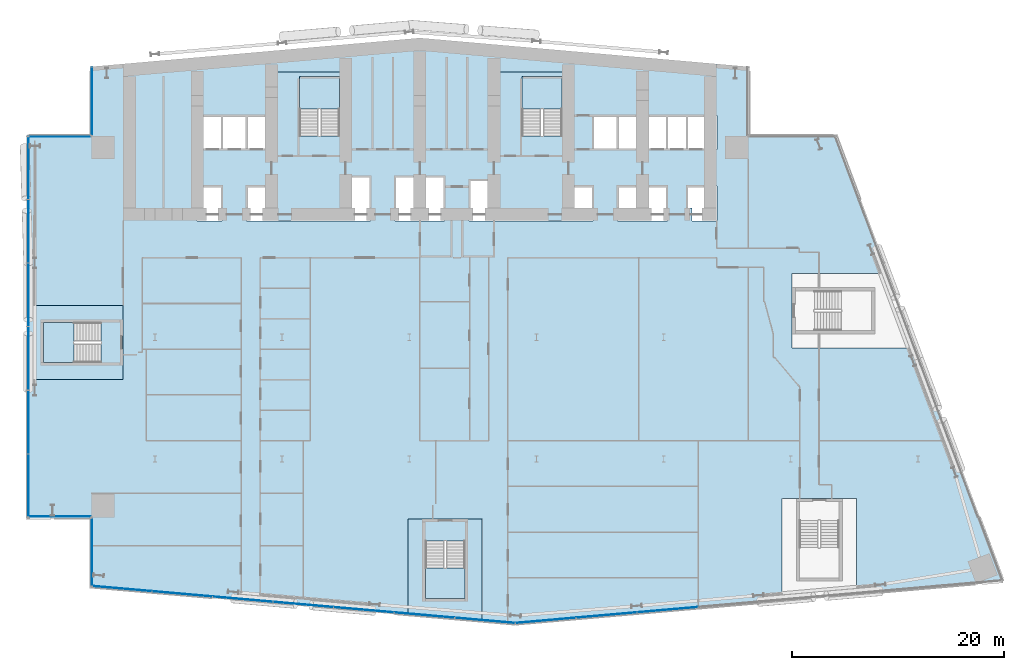
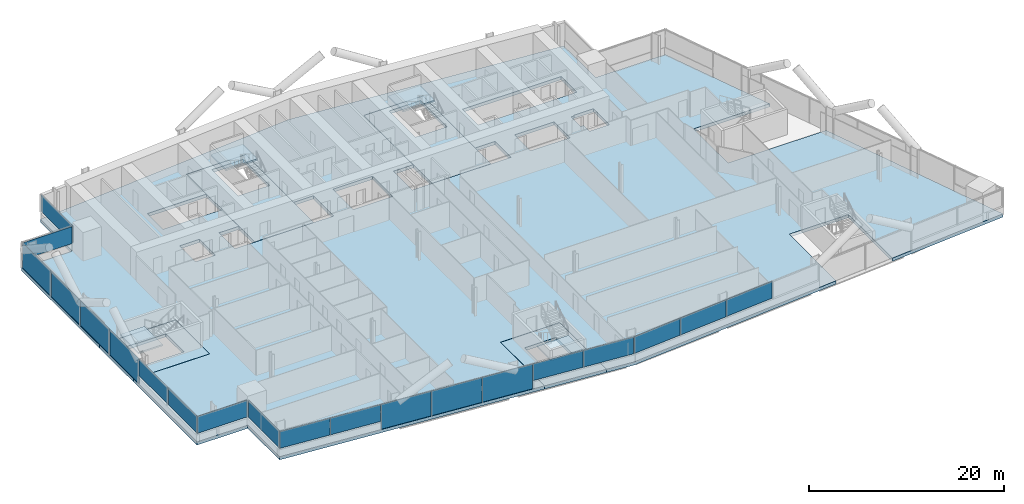
# One storey, part 11 of 27: 20 plates, 9 slabs, 11 elements without a shape of their own.
"""IFC4 building model written with IfcOpenShell, lengths in metres."""

import ifcopenshell
import ifcopenshell.guid

model = None  # the IFC model being written
_history = None  # IfcOwnerHistory: only IFC2X3 demands one
_inside = {}  # id of a spatial element -> (the spatial element, [elements in it])
_under = {}  # id of a project, library or spatial element -> (it, [spatial elements below it])
_declared = {}  # id of a project -> (the project, [libraries it declares])
_typed = {}  # id of a type object -> (the type object, [elements of that type])
_made_of = {}  # id of a material, layer set ... -> (it, [elements and type objects made of it])


def new_model(schema):
    """Start an empty IFC model of exactly this schema.

    Asked for "IFC4X3", IfcOpenShell would pick the latest addendum, in which some entities
    have other attributes; the version numbers below select the first issue.
    IFC2X3 requires an IfcOwnerHistory on every rooted entity: one is made here for all.
    """
    global model, _history
    if schema == "IFC4X3":
        model = ifcopenshell.file(schema_version=(4, 3, 0, 0))
    else:
        model = ifcopenshell.file(schema=schema)
    _inside.clear()
    _under.clear()
    _declared.clear()
    _typed.clear()
    _made_of.clear()
    _history = None
    if model.schema == "IFC2X3":
        org = make("IfcOrganization", Name="unknown")
        user = make(
            "IfcPersonAndOrganization",
            ThePerson=make("IfcPerson", FamilyName="unknown"),
            TheOrganization=org,
        )
        app = make(
            "IfcApplication",
            ApplicationDeveloper=org,
            Version="unknown",
            ApplicationFullName="unknown",
            ApplicationIdentifier="unknown",
        )
        _history = make(
            "IfcOwnerHistory",
            OwningUser=user,
            OwningApplication=app,
            ChangeAction="ADDED",
            CreationDate=0,
        )
    return model


def make(cls, **values):
    """One entity of the class cls with the attributes given. An attribute that is None is left unset."""
    return model.create_entity(
        cls, **{name: value for name, value in values.items() if value is not None}
    )


def rooted(cls, **values):
    """An entity with a GlobalId (a new one), such as an element, a storey or a relation."""
    return make(cls, GlobalId=ifcopenshell.guid.new(), OwnerHistory=_history, **values)


def si_unit(unit_type, name, prefix=None):
    """IfcSIUnit, for example si_unit("LENGTHUNIT", "METRE", prefix="MILLI")."""
    return make("IfcSIUnit", UnitType=unit_type, Prefix=prefix, Name=name)


def assignment(units):
    """IfcUnitAssignment: the units of a project."""
    return None if units is None else make("IfcUnitAssignment", Units=units)


def point(xyz):
    """IfcCartesianPoint."""
    return None if xyz is None else make("IfcCartesianPoint", Coordinates=xyz)


def direction(xyz):
    """IfcDirection."""
    return None if xyz is None else make("IfcDirection", DirectionRatios=xyz)


def frame(location, z_axis=None, x_axis=None):
    """IfcAxis2Placement3D, a coordinate frame: its origin and axes. An axis left out is left unset."""
    return make(
        "IfcAxis2Placement3D",
        Location=point(location),
        Axis=direction(z_axis),
        RefDirection=direction(x_axis),
    )


def frame_2d(location, x_axis=None):
    """IfcAxis2Placement2D, a coordinate frame in the plane: its origin and x axis."""
    return make(
        "IfcAxis2Placement2D", Location=point(location), RefDirection=direction(x_axis)
    )


def origin():
    """The frame at (0, 0, 0) with its axes left unset."""
    return frame((0.0, 0.0, 0.0))


def origin_2d():
    """The frame at (0, 0) in the plane with its x axis left unset."""
    return frame_2d((0.0, 0.0))


def place(relative_to, where):
    """IfcLocalPlacement: puts the frame where relative to a parent placement (None: the world)."""
    return make(
        "IfcLocalPlacement", PlacementRelTo=relative_to, RelativePlacement=where
    )


def context(
    kind, dimensions, precision=None, world=None, true_north=None, identifier=None
):
    """IfcGeometricRepresentationContext, for example the 3D "Model" context."""
    return make(
        "IfcGeometricRepresentationContext",
        ContextIdentifier=identifier,
        ContextType=kind,
        CoordinateSpaceDimension=dimensions,
        Precision=precision,
        WorldCoordinateSystem=world,
        TrueNorth=true_north,
    )


def subcontext(parent, identifier, kind, view, scale=None):
    """IfcGeometricRepresentationSubContext, for example "Body" below "Model"."""
    return make(
        "IfcGeometricRepresentationSubContext",
        ContextIdentifier=identifier,
        ContextType=kind,
        ParentContext=parent,
        TargetScale=scale,
        TargetView=view,
    )


def project(units=None, contexts=None):
    """IfcProject with its units and contexts."""
    return rooted(
        "IfcProject",
        Name="project",
        RepresentationContexts=contexts,
        UnitsInContext=assignment(units),
    )


def spatial(cls, under=None, at=None, **own):
    """A site, building, storey or space (cls), placed at a placement, below another one or the project."""
    s = rooted(cls, ObjectPlacement=at, **own)
    if under is not None:
        _under.setdefault(under.id(), (under, []))[1].append(s)
    return s


def polyline(points):
    """IfcPolyline through the points."""
    return make("IfcPolyline", Points=[point(p) for p in points])


def profile(cls, at=None, kind="AREA", **sizes):
    """A parametric profile (cls). Its sizes go by their IFC names, for example OverallWidth=200.0."""
    return make(cls, ProfileType=kind, Position=at, **sizes)


def rectangle(**sizes):
    """IfcRectangleProfileDef."""
    return profile("IfcRectangleProfileDef", **sizes)


def outline(outer, holes=None, kind="AREA"):
    """IfcArbitraryClosedProfileDef: a profile drawn as a closed curve; with holes, ...WithVoids."""
    if holes is None:
        return make("IfcArbitraryClosedProfileDef", ProfileType=kind, OuterCurve=outer)
    return make(
        "IfcArbitraryProfileDefWithVoids",
        ProfileType=kind,
        OuterCurve=outer,
        InnerCurves=holes,
    )


def extrude(swept, where, along, depth):
    """IfcExtrudedAreaSolid: the profile swept, set in the frame where, extruded along a direction by depth."""
    return make(
        "IfcExtrudedAreaSolid",
        SweptArea=swept,
        Position=where,
        ExtrudedDirection=direction(along),
        Depth=depth,
    )


def shape(context_of_items, identifier, shape_type, items):
    """IfcShapeRepresentation: the items that make up one representation, for example the "Body"."""
    return make(
        "IfcShapeRepresentation",
        ContextOfItems=context_of_items,
        RepresentationIdentifier=identifier,
        RepresentationType=shape_type,
        Items=items,
    )


def material(Name=None, Category=None):
    """IfcMaterial."""
    return make("IfcMaterial", Name=Name, Category=Category)


def layer(
    of_material, thickness, ventilated=None, Name=None, Category=None, Priority=None
):
    """IfcMaterialLayer: one layer of a wall or slab, of a material (None: an air gap)."""
    return make(
        "IfcMaterialLayer",
        Material=of_material,
        LayerThickness=thickness,
        IsVentilated=ventilated,
        Name=Name,
        Category=Category,
        Priority=Priority,
    )


def layer_set(layers, Name=None):
    """IfcMaterialLayerSet."""
    return make("IfcMaterialLayerSet", MaterialLayers=layers, LayerSetName=Name)


def made_of(thing, what):
    """Note that an element or type object is made of a material, layer set ...; save() writes the relation."""
    if what is not None:
        _made_of.setdefault(what.id(), (what, []))[1].append(thing)
    return thing


def type_object(cls, material=None, **own):
    """A type object (cls), such as IfcWallType, which elements share."""
    return made_of(rooted(cls, **own), material)


def element(
    cls,
    number,
    at=None,
    inside=None,
    cuts=None,
    type_object=None,
    material=None,
    context=None,
    identifier="Body",
    shape_type=None,
    held_by="IfcProductDefinitionShape",
    body=None,
    shapes=None,
    **own,
):
    """One element of the class cls, such as IfcWall. Its Tag is "e" and its number.

    at: its placement. inside: the storey or other place that contains it. cuts: it is an
    opening in that element (IfcRelVoidsElement). A single representation is given by context,
    identifier, shape_type and body (its items); several are given by shapes. held_by: the class
    of the entity that holds the representations. save() writes the other relations.
    """
    e = rooted(cls, Tag="e%d" % number, ObjectPlacement=at, **own)
    if body is not None:
        shapes = [shape(context, identifier, shape_type, body)]
    if shapes is not None:
        e.Representation = make(held_by, Representations=shapes)
    if inside is not None:
        _inside.setdefault(inside.id(), (inside, []))[1].append(e)
    if cuts is not None:
        rooted(
            "IfcRelVoidsElement", RelatingBuildingElement=cuts, RelatedOpeningElement=e
        )
    if type_object is not None:
        _typed.setdefault(type_object.id(), (type_object, []))[1].append(e)
    return made_of(e, material)


def aggregate(whole, parts):
    """IfcRelAggregates: a whole, such as a stair, and the parts it consists of."""
    return rooted("IfcRelAggregates", RelatingObject=whole, RelatedObjects=parts)


def save(model, path):
    """Write the relations noted so far, then the file.

    IfcRelAggregates (storeys below a building ...), IfcRelContainedInSpatialStructure (elements
    in a storey), IfcRelDefinesByType, IfcRelAssociatesMaterial and IfcRelDeclares: one each for
    every whole, place, type object, material and project.
    """
    for whole, parts in _under.values():
        aggregate(whole, parts)
    for where, things in _inside.values():
        rooted(
            "IfcRelContainedInSpatialStructure",
            RelatedElements=things,
            RelatingStructure=where,
        )
    for kind, things in _typed.values():
        rooted("IfcRelDefinesByType", RelatedObjects=things, RelatingType=kind)
    for what, things in _made_of.values():
        rooted("IfcRelAssociatesMaterial", RelatedObjects=things, RelatingMaterial=what)
    for by, libraries in _declared.values():
        rooted("IfcRelDeclares", RelatingContext=by, RelatedDefinitions=libraries)
    model.write(path)


model = new_model("IFC4")

# Units and contexts
model_context = context("Model", 3, precision=1e-05, world=origin(), true_north=direction((0.0, 1.0)))
body_context = subcontext(model_context, "Body", "Model", "MODEL_VIEW")
ifc_project = project(units=[si_unit("LENGTHUNIT", "METRE"), si_unit("AREAUNIT", "SQUARE_METRE"), si_unit("VOLUMEUNIT", "CUBIC_METRE"), si_unit("PLANEANGLEUNIT", "RADIAN"), si_unit("MASSUNIT", "GRAM", prefix="KILO")], contexts=[model_context])

# Site, building, storey
site_placement = place(None, origin())
site = spatial("IfcSite", under=ifc_project, at=site_placement, CompositionType="ELEMENT")
building_placement = place(site_placement, origin())
building = spatial("IfcBuilding", under=site, at=building_placement, Name="Wharfspan Tower", CompositionType="ELEMENT")
storey_placement = place(building_placement, frame((0.0, 0.0, 73.899902)))
storey = spatial("IfcBuildingStorey", under=building, at=storey_placement, Name="L15", CompositionType="ELEMENT", Elevation=73.899902)

# Curtain wall, plates
ifc_material_1 = material(Name="Aluminium 6063-T6", Category="aluminium")
curtain_wall_type_1 = type_object("IfcCurtainWallType", Name="CURTAIN WALL FACETED FRONT", PredefinedType="NOTDEFINED", material=ifc_material_1)
curtain_wall_1_placement = place(storey_placement, origin())
curtain_wall_1 = element("IfcCurtainWall", 1, at=curtain_wall_1_placement, inside=storey, type_object=curtain_wall_type_1, Name="Curtain wall S1", PredefinedType="NOTDEFINED")
ifc_material_2 = material(Name="Glass clear low-iron double glazing", Category="glass")
ifc_layer_1 = layer(ifc_material_2, 0.040039)
ifc_layer_set_1 = layer_set([ifc_layer_1], Name="Glass clear low-iron double glazing")
plate_type_1 = type_object("IfcPlateType", Name="GLASS PANEL FACETED FRONT 40", PredefinedType="CURTAIN_PANEL", material=ifc_layer_set_1)
plate_1_placement = place(storey_placement, frame((8.877197, -0.716553, 1.0), z_axis=(0.0, 0.0, 1.0), x_axis=(0.996197, -0.087156, 0.0)))
plate_1 = element("IfcPlate", 2, at=plate_1_placement, type_object=plate_type_1, Name="Curtain wall S1 panel 1", PredefinedType="CURTAIN_PANEL", context=body_context, shape_type="SweptSolid", body=[
    extrude(rectangle(XDim=5.645996, YDim=0.040039, at=origin_2d()), origin(), (0.0, 0.0, 1.0), 2.120117),
])
plate_2_placement = place(storey_placement, frame((14.57666, -1.215088, 1.0), z_axis=(0.0, 0.0, 1.0), x_axis=(0.996197, -0.087156, 0.0)))
plate_2 = element("IfcPlate", 3, at=plate_2_placement, type_object=plate_type_1, Name="Curtain wall S1 panel 2", PredefinedType="CURTAIN_PANEL", context=body_context, shape_type="SweptSolid", body=[
    extrude(rectangle(XDim=5.676025, YDim=0.040039, at=origin_2d()), origin(), (0.0, 0.0, 1.0), 2.120117),
])
plate_3_placement = place(storey_placement, frame((37.433838, -3.214844, 1.0), z_axis=(0.0, 0.0, 1.0), x_axis=(0.996197, -0.087156, 0.0)))
plate_3 = element("IfcPlate", 4, at=plate_3_placement, type_object=plate_type_1, Name="Curtain wall S1 panel 6", PredefinedType="CURTAIN_PANEL", context=body_context, shape_type="SweptSolid", body=[
    extrude(rectangle(XDim=5.676025, YDim=0.040039, at=origin_2d()), origin(), (0.0, 0.0, 1.0), 2.120117),
])
plate_4_placement = place(storey_placement, frame((43.133057, -3.713379, 1.0), z_axis=(0.0, 0.0, 1.0), x_axis=(0.996197, -0.087156, 0.0)))
plate_4 = element("IfcPlate", 5, at=plate_4_placement, type_object=plate_type_1, Name="Curtain wall S1 panel 7", PredefinedType="CURTAIN_PANEL", context=body_context, shape_type="SweptSolid", body=[
    extrude(rectangle(XDim=5.645996, YDim=0.040039, at=origin_2d()), origin(), (0.0, 0.0, 1.0), 2.120117),
])

curtain_wall_2_placement = place(storey_placement, origin())
curtain_wall_2 = element("IfcCurtainWall", 6, at=curtain_wall_2_placement, inside=storey, type_object=curtain_wall_type_1, Name="Curtain wall S2", PredefinedType="NOTDEFINED")
plate_5_placement = place(storey_placement, frame((48.884766, -3.711914, 1.0), z_axis=(0.0, 0.0, 1.0), x_axis=(0.996197, 0.087156, 0.0)))
plate_5 = element("IfcPlate", 7, at=plate_5_placement, type_object=plate_type_1, Name="Curtain wall S2 panel 1", PredefinedType="CURTAIN_PANEL", context=body_context, shape_type="SweptSolid", body=[
    extrude(rectangle(XDim=5.681885, YDim=0.040039, at=origin_2d()), origin(), (0.0, 0.0, 1.0), 2.120117),
])
plate_6_placement = place(storey_placement, frame((54.619873, -3.210205, 1.0), z_axis=(0.0, 0.0, 1.0), x_axis=(0.996197, 0.087156, 0.0)))
plate_6 = element("IfcPlate", 8, at=plate_6_placement, type_object=plate_type_1, Name="Curtain wall S2 panel 2", PredefinedType="CURTAIN_PANEL", context=body_context, shape_type="SweptSolid", body=[
    extrude(rectangle(XDim=5.711914, YDim=0.040039, at=origin_2d()), origin(), (0.0, 0.0, 1.0), 2.120117),
])
plate_7_placement = place(storey_placement, frame((60.369873, -2.707031, 1.0), z_axis=(0.0, 0.0, 1.0), x_axis=(0.996197, 0.087156, 0.0)))
plate_7 = element("IfcPlate", 9, at=plate_7_placement, type_object=plate_type_1, Name="Curtain wall S2 panel 3", PredefinedType="CURTAIN_PANEL", context=body_context, shape_type="SweptSolid", body=[
    extrude(rectangle(XDim=5.711914, YDim=0.040039, at=origin_2d()), origin(), (0.0, 0.0, 1.0), 2.120117),
])
aggregate(curtain_wall_2, [plate_5, plate_6, plate_7])

# Curtain wall, plate
curtain_wall_type_2 = type_object("IfcCurtainWallType", Name="CURTAIN WALL PROW AND END", PredefinedType="NOTDEFINED", material=ifc_material_1)
curtain_wall_3_placement = place(storey_placement, origin())
curtain_wall_3 = element("IfcCurtainWall", 10, at=curtain_wall_3_placement, inside=storey, type_object=curtain_wall_type_2, Name="Curtain wall NRW-V", PredefinedType="NOTDEFINED")
ifc_layer_2 = layer(ifc_material_2, 0.040039)
ifc_layer_set_2 = layer_set([ifc_layer_2], Name="Glass clear low-iron double glazing")
plate_type_2 = type_object("IfcPlateType", Name="GLASS PANEL PROW AND END 40", PredefinedType="CURTAIN_PANEL", material=ifc_layer_set_2)
plate_8_placement = place(storey_placement, frame((6.080078, 45.262451, 1.0), z_axis=(0.0, 0.0, 1.0), x_axis=(0.0, -1.0, 0.0)))
plate_8 = element("IfcPlate", 11, at=plate_8_placement, type_object=plate_type_2, Name="Curtain wall NRW-V panel 1", PredefinedType="CURTAIN_PANEL", context=body_context, shape_type="SweptSolid", body=[
    extrude(rectangle(XDim=6.405029, YDim=0.040039, at=origin_2d()), origin(), (0.0, 0.0, 1.0), 2.120117),
])
aggregate(curtain_wall_3, [plate_8])

curtain_wall_4_placement = place(storey_placement, origin())
curtain_wall_4 = element("IfcCurtainWall", 12, at=curtain_wall_4_placement, inside=storey, type_object=curtain_wall_type_2, Name="Curtain wall NRW-H", PredefinedType="NOTDEFINED")
plate_9_placement = place(storey_placement, frame((3.0, 41.919922, 1.0), z_axis=(0.0, 0.0, 1.0), x_axis=(-1.0, 0.0, 0.0)))
plate_9 = element("IfcPlate", 13, at=plate_9_placement, type_object=plate_type_2, Name="Curtain wall NRW-H panel 1", PredefinedType="CURTAIN_PANEL", context=body_context, shape_type="SweptSolid", body=[
    extrude(rectangle(XDim=5.879883, YDim=0.040039, at=origin_2d()), origin(), (0.0, 0.0, 1.0), 2.120117),
])
aggregate(curtain_wall_4, [plate_9])

# Curtain wall, plates
curtain_wall_5_placement = place(storey_placement, origin())
curtain_wall_5 = element("IfcCurtainWall", 14, at=curtain_wall_5_placement, inside=storey, type_object=curtain_wall_type_2, Name="Curtain wall W", PredefinedType="NOTDEFINED")
plate_10_placement = place(storey_placement, frame((0.080078, 15.0, 1.0), z_axis=(0.0, 0.0, 1.0), x_axis=(0.0, -1.0, 0.0)))
plate_10 = element("IfcPlate", 15, at=plate_10_placement, type_object=plate_type_2, Name="Curtain wall W panel 5", PredefinedType="CURTAIN_PANEL", context=body_context, shape_type="SweptSolid", body=[
    extrude(rectangle(XDim=5.939941, YDim=0.040039, at=origin_2d()), origin(), (0.0, 0.0, 1.0), 2.120117),
])
plate_11_placement = place(storey_placement, frame((0.080078, 9.014893, 1.0), z_axis=(0.0, 0.0, 1.0), x_axis=(0.0, -1.0, 0.0)))
plate_11 = element("IfcPlate", 16, at=plate_11_placement, type_object=plate_type_2, Name="Curtain wall W panel 6", PredefinedType="CURTAIN_PANEL", context=body_context, shape_type="SweptSolid", body=[
    extrude(rectangle(XDim=5.909912, YDim=0.040039, at=origin_2d()), origin(), (0.0, 0.0, 1.0), 2.120117),
])

# Curtain wall, plate
curtain_wall_6_placement = place(storey_placement, origin())
curtain_wall_6 = element("IfcCurtainWall", 17, at=curtain_wall_6_placement, inside=storey, type_object=curtain_wall_type_2, Name="Curtain wall NFW-H", PredefinedType="NOTDEFINED")
plate_12_placement = place(storey_placement, frame((3.0, 6.080078, 1.0), z_axis=(0.0, 0.0, 1.0), x_axis=(1.0, 0.0, 0.0)))
plate_12 = element("IfcPlate", 18, at=plate_12_placement, type_object=plate_type_2, Name="Curtain wall NFW-H panel 1", PredefinedType="CURTAIN_PANEL", context=body_context, shape_type="SweptSolid", body=[
    extrude(rectangle(XDim=5.879883, YDim=0.040039, at=origin_2d()), origin(), (0.0, 0.0, 1.0), 2.120117),
])
aggregate(curtain_wall_6, [plate_12])

curtain_wall_7_placement = place(storey_placement, origin())
curtain_wall_7 = element("IfcCurtainWall", 19, at=curtain_wall_7_placement, inside=storey, type_object=curtain_wall_type_2, Name="Curtain wall NFW-V", PredefinedType="NOTDEFINED")
plate_13_placement = place(storey_placement, frame((6.080078, 2.737549, 1.0), z_axis=(0.0, 0.0, 1.0), x_axis=(0.0, -1.0, 0.0)))
plate_13 = element("IfcPlate", 20, at=plate_13_placement, type_object=plate_type_2, Name="Curtain wall NFW-V panel 1", PredefinedType="CURTAIN_PANEL", context=body_context, shape_type="SweptSolid", body=[
    extrude(rectangle(XDim=6.405029, YDim=0.040039, at=origin_2d()), origin(), (0.0, 0.0, 1.0), 2.120117),
])
aggregate(curtain_wall_7, [plate_13])

# Plate
ifc_material_3 = material(Name="Aluminium composite opaque insulated panel", Category="aluminium")
ifc_layer_3 = layer(ifc_material_3, 0.040039)
ifc_layer_set_3 = layer_set([ifc_layer_3], Name="Aluminium composite opaque insulated panel")
plate_type_3 = type_object("IfcPlateType", Name="INFILL PANEL FACETED FRONT OPAQUE 40", PredefinedType="SHEET", material=ifc_layer_set_3)
plate_14_placement = place(storey_placement, frame((20.291016, -1.715088, 0.0), z_axis=(0.0, 0.0, 1.0), x_axis=(0.996197, -0.087156, 0.0)))
plate_14 = element("IfcPlate", 21, at=plate_14_placement, type_object=plate_type_3, Name="Curtain wall S1 panel 3", PredefinedType="SHEET", context=body_context, shape_type="SweptSolid", body=[
    extrude(rectangle(XDim=5.676025, YDim=0.040039, at=origin_2d()), origin(), (0.0, 0.0, 1.0), 3.120117),
])

plate_15_placement = place(storey_placement, frame((26.005127, -2.214844, 0.0), z_axis=(0.0, 0.0, 1.0), x_axis=(0.996197, -0.087156, 0.0)))
plate_15 = element("IfcPlate", 22, at=plate_15_placement, type_object=plate_type_3, Name="Curtain wall S1 panel 4", PredefinedType="SHEET", context=body_context, shape_type="SweptSolid", body=[
    extrude(rectangle(XDim=5.676025, YDim=0.040039, at=origin_2d()), origin(), (0.0, 0.0, 1.0), 3.120117),
])

plate_16_placement = place(storey_placement, frame((31.719482, -2.714844, 0.0), z_axis=(0.0, 0.0, 1.0), x_axis=(0.996197, -0.087156, 0.0)))
plate_16 = element("IfcPlate", 23, at=plate_16_placement, type_object=plate_type_3, Name="Curtain wall S1 panel 5", PredefinedType="SHEET", context=body_context, shape_type="SweptSolid", body=[
    extrude(rectangle(XDim=5.676025, YDim=0.040039, at=origin_2d()), origin(), (0.0, 0.0, 1.0), 3.120117),
])

aggregate(curtain_wall_1, [plate_1, plate_2, plate_14, plate_15, plate_16, plate_3, plate_4])

ifc_layer_4 = layer(ifc_material_3, 0.040039)
ifc_layer_set_4 = layer_set([ifc_layer_4], Name="Aluminium composite opaque insulated panel")
plate_type_4 = type_object("IfcPlateType", Name="INFILL PANEL PROW AND END OPAQUE 40", PredefinedType="SHEET", material=ifc_layer_set_4)
plate_17_placement = place(storey_placement, frame((0.080078, 38.985107, 0.0), z_axis=(0.0, 0.0, 1.0), x_axis=(0.0, -1.0, 0.0)))
plate_17 = element("IfcPlate", 24, at=plate_17_placement, type_object=plate_type_4, Name="Curtain wall W panel 1", PredefinedType="SHEET", context=body_context, shape_type="SweptSolid", body=[
    extrude(rectangle(XDim=5.909912, YDim=0.040039, at=origin_2d()), origin(), (0.0, 0.0, 1.0), 3.120117),
])

plate_18_placement = place(storey_placement, frame((0.080078, 33.0, 0.0), z_axis=(0.0, 0.0, 1.0), x_axis=(0.0, -1.0, 0.0)))
plate_18 = element("IfcPlate", 25, at=plate_18_placement, type_object=plate_type_4, Name="Curtain wall W panel 2", PredefinedType="SHEET", context=body_context, shape_type="SweptSolid", body=[
    extrude(rectangle(XDim=5.939941, YDim=0.040039, at=origin_2d()), origin(), (0.0, 0.0, 1.0), 3.120117),
])

plate_19_placement = place(storey_placement, frame((0.080078, 27.0, 0.0), z_axis=(0.0, 0.0, 1.0), x_axis=(0.0, -1.0, 0.0)))
plate_19 = element("IfcPlate", 26, at=plate_19_placement, type_object=plate_type_4, Name="Curtain wall W panel 3", PredefinedType="SHEET", context=body_context, shape_type="SweptSolid", body=[
    extrude(rectangle(XDim=5.939941, YDim=0.040039, at=origin_2d()), origin(), (0.0, 0.0, 1.0), 3.120117),
])

plate_20_placement = place(storey_placement, frame((0.080078, 21.0, 0.0), z_axis=(0.0, 0.0, 1.0), x_axis=(0.0, -1.0, 0.0)))
plate_20 = element("IfcPlate", 27, at=plate_20_placement, type_object=plate_type_4, Name="Curtain wall W panel 4", PredefinedType="SHEET", context=body_context, shape_type="SweptSolid", body=[
    extrude(rectangle(XDim=5.939941, YDim=0.040039, at=origin_2d()), origin(), (0.0, 0.0, 1.0), 3.120117),
])

aggregate(curtain_wall_5, [plate_17, plate_18, plate_19, plate_20, plate_10, plate_11])

# Slabs
ifc_material_4 = material(Name="Concrete C40/50", Category="concrete")
ifc_layer_5 = layer(ifc_material_4, 0.399902)
ifc_layer_set_5 = layer_set([ifc_layer_5], Name="Concrete C40/50")
slab_type_1 = type_object("IfcSlabType", Name="Post-tensioned flat slab 400", PredefinedType="FLOOR", material=ifc_layer_set_5)
slab_1_placement = place(storey_placement, frame((0.0, 0.0, -0.400146)))
element("IfcSlab", 28, at=slab_1_placement, inside=storey, type_object=slab_type_1, Name="Floor slab L15", PredefinedType="FLOOR", context=body_context, shape_type="SweptSolid", body=[
    extrude(outline(polyline([(35.873291, -3.138428), (35.873291, 5.870605), (42.893311, 5.870605), (42.893311, -3.752686), (46.0, -4.024414), (71.182617, -1.821289), (71.182617, 7.802002), (78.202393, 7.802002), (78.202393, -1.207031), (92.0, 0.0), (83.753662, 21.98999), (72.11499, 21.98999), (72.11499, 29.01001), (81.121338, 29.01001), (76.25, 42.0), (68.0, 42.0), (68.0, 48.524902), (37.0, 51.237061), (6.0, 48.524902), (6.0, 42.0), (0.0, 42.0), (0.0, 26.01001), (9.01001, 26.01001), (9.01001, 18.98999), (0.0, 18.98999), (0.0, 6.0), (6.0, 6.0), (6.0, -0.524902), (35.873291, -3.138428)]), holes=[polyline([(62.290039, 37.159912), (62.656738, 37.159912), (62.656738, 37.26001), (65.01001, 37.26001), (65.01001, 33.98999), (62.656738, 33.98999), (62.656738, 35.189941), (62.290039, 35.189941), (62.290039, 37.159912)]), polyline([(65.01001, 43.909912), (65.01001, 40.689941), (53.323242, 40.689941), (53.323242, 43.909912), (65.01001, 43.909912)]), polyline([(55.656738, 33.98999), (55.656738, 37.26001), (60.343262, 37.26001), (60.343262, 33.98999), (55.656738, 33.98999)]), polyline([(43.98999, 37.860107), (43.98999, 48.01001), (51.01001, 48.01001), (51.01001, 37.26001), (53.343262, 37.26001), (53.343262, 33.98999), (41.656738, 33.98999), (41.656738, 37.860107), (43.98999, 37.860107)]), polyline([(34.656738, 33.98999), (34.656738, 38.159912), (39.343262, 38.159912), (39.343262, 33.98999), (34.656738, 33.98999)]), polyline([(15.98999, 40.689941), (15.98999, 43.909912), (20.656738, 43.909912), (20.676758, 43.909912), (22.98999, 43.909912), (22.98999, 48.01001), (30.01001, 48.01001), (30.01001, 38.159912), (32.343262, 38.159912), (32.343262, 33.98999), (20.656738, 33.98999), (20.656738, 37.26001), (22.98999, 37.26001), (22.98999, 40.689941), (20.676758, 40.689941), (20.656738, 40.689941), (15.98999, 40.689941)]), polyline([(18.343262, 37.26001), (18.343262, 33.98999), (15.98999, 33.98999), (15.98999, 37.26001), (18.343262, 37.26001)])]), origin(), (0.0, 0.0, 1.0), 0.400146),
])
slab_2_placement = place(storey_placement, frame((0.0, 0.0, -0.400146)))
element("IfcSlab", 29, at=slab_2_placement, inside=storey, type_object=slab_type_1, Name="Core floor slab L15 part 1", PredefinedType="FLOOR", context=body_context, shape_type="SweptSolid", body=[
    extrude(outline(polyline([(9.0, 20.324951), (9.0, 24.675049), (9.0, 26.0), (0.0, 26.0), (0.0, 19.0), (9.0, 19.0), (9.0, 20.324951)]), holes=[polyline([(6.9021, 20.625), (6.9021, 20.624756), (6.9021, 20.624512), (6.901855, 20.624512), (6.901855, 20.624268), (6.901855, 20.624023), (6.901611, 20.623779), (6.901611, 20.623779), (6.901367, 20.623535), (6.901367, 20.623535), (6.901123, 20.623291), (6.900879, 20.623291), (6.900879, 20.623291), (6.900635, 20.623047), (6.900391, 20.623047), (6.900146, 20.623047), (6.899902, 20.623047), (1.5, 20.623047), (1.499756, 20.623047), (1.499512, 20.623047), (1.499512, 20.623047), (1.499268, 20.623291), (1.499023, 20.623291), (1.498779, 20.623291), (1.498779, 20.623535), (1.498535, 20.623535), (1.498535, 20.623779), (1.498291, 20.623779), (1.498291, 20.624023), (1.498291, 20.624268), (1.498047, 20.624512), (1.498047, 20.624512), (1.498047, 20.624756), (1.498047, 20.625), (1.498047, 24.375), (1.498047, 24.375244), (1.498047, 24.375488), (1.498047, 24.375488), (1.498291, 24.375732), (1.498291, 24.375977), (1.498291, 24.376221), (1.498535, 24.376221), (1.498535, 24.376465), (1.498779, 24.376465), (1.498779, 24.376709), (1.499023, 24.376709), (1.499268, 24.376709), (1.499512, 24.376953), (1.499512, 24.376953), (1.499756, 24.376953), (1.5, 24.376953), (6.899902, 24.376953), (6.900146, 24.376953), (6.900391, 24.376953), (6.900635, 24.376953), (6.900879, 24.376709), (6.900879, 24.376709), (6.901123, 24.376709), (6.901367, 24.376465), (6.901367, 24.376465), (6.901611, 24.376221), (6.901611, 24.376221), (6.901855, 24.375977), (6.901855, 24.375732), (6.901855, 24.375488), (6.9021, 24.375488), (6.9021, 24.375244), (6.9021, 24.375), (6.9021, 20.625)])]), origin(), (0.0, 0.0, 1.0), 0.400146),
])
slab_3_placement = place(storey_placement, frame((0.0, 0.0, -0.400146)))
element("IfcSlab", 30, at=slab_3_placement, inside=storey, type_object=slab_type_1, Name="Core floor slab L15 part 2", PredefinedType="FLOOR", context=body_context, shape_type="SweptSolid", body=[
    extrude(outline(polyline([(20.664795, 34.0), (20.664795, 37.25), (20.664795, 37.250244), (20.664795, 37.250488), (20.664795, 37.250488), (20.664795, 37.250732), (20.664795, 37.250977), (20.665039, 37.251221), (20.665039, 37.251221), (20.665283, 37.251465), (20.665283, 37.251465), (20.665527, 37.251709), (20.665771, 37.251709), (20.666016, 37.251709), (20.666016, 37.251953), (20.66626, 37.251953), (20.666504, 37.251953), (20.666748, 37.251953), (23.0, 37.251953), (23.000244, 37.251953), (23.000488, 37.251953), (23.000488, 37.251953), (23.000732, 37.251709), (23.000977, 37.251709), (23.001221, 37.251709), (23.001221, 37.251465), (23.001465, 37.251465), (23.001465, 37.251221), (23.001709, 37.251221), (23.001709, 37.250977), (23.001709, 37.250732), (23.001953, 37.250488), (23.001953, 37.250488), (23.001953, 37.250244), (23.001953, 37.25), (23.001953, 34.0), (29.998047, 34.0), (29.998047, 38.149902), (29.998047, 38.150146), (29.998047, 38.150391), (29.998047, 38.150635), (29.998291, 38.150879), (29.998291, 38.150879), (29.998291, 38.151123), (29.998535, 38.151367), (29.998535, 38.151367), (29.998779, 38.151611), (29.998779, 38.151611), (29.999023, 38.151855), (29.999268, 38.151855), (29.999512, 38.151855), (29.999512, 38.1521), (29.999756, 38.1521), (30.0, 38.1521), (32.333252, 38.1521), (32.333496, 38.1521), (32.33374, 38.1521), (32.333984, 38.151855), (32.333984, 38.151855), (32.334229, 38.151855), (32.334473, 38.151611), (32.334717, 38.151611), (32.334717, 38.151367), (32.334961, 38.151367), (32.334961, 38.151123), (32.335205, 38.150879), (32.335205, 38.150879), (32.335205, 38.150635), (32.335205, 38.150391), (32.335205, 38.150146), (32.335205, 38.149902), (32.335205, 34.0), (32.341309, 34.0), (32.341309, 38.157959), (30.01001, 38.157959), (30.009766, 38.157959), (30.009521, 38.157959), (30.009521, 38.158203), (30.009277, 38.158203), (30.009033, 38.158203), (30.008789, 38.158203), (30.008789, 38.158447), (30.008545, 38.158691), (30.008545, 38.158691), (30.008301, 38.158936), (30.008301, 38.15918), (30.008301, 38.15918), (30.008057, 38.159424), (30.008057, 38.159668), (30.008057, 38.159912), (30.008057, 38.159912), (30.008057, 48.008057), (22.991943, 48.008057), (22.991943, 43.909912), (22.991943, 43.909912), (22.991943, 43.909668), (22.991943, 43.909424), (22.991699, 43.90918), (22.991699, 43.90918), (22.991699, 43.908936), (22.991455, 43.908691), (22.991455, 43.908691), (22.991211, 43.908447), (22.991211, 43.908203), (22.990967, 43.908203), (22.990723, 43.908203), (22.990479, 43.908203), (22.990479, 43.907959), (22.990234, 43.907959), (22.98999, 43.907959), (15.991943, 43.907959), (15.991943, 40.691895), (22.98999, 40.691895), (22.990234, 40.691895), (22.990479, 40.691895), (22.990479, 40.691895), (22.990723, 40.691895), (22.990967, 40.691895), (22.991211, 40.69165), (22.991211, 40.691406), (22.991455, 40.691406), (22.991455, 40.691406), (22.991699, 40.691162), (22.991699, 40.690918), (22.991699, 40.690918), (22.991943, 40.690674), (22.991943, 40.69043), (22.991943, 40.690186), (22.991943, 40.689941), (22.991943, 37.26001), (22.991943, 37.259766), (22.991943, 37.259521), (22.991943, 37.259521), (22.991699, 37.259277), (22.991699, 37.259033), (22.991699, 37.258789), (22.991455, 37.258789), (22.991455, 37.258545), (22.991211, 37.258545), (22.991211, 37.258301), (22.990967, 37.258301), (22.990723, 37.258301), (22.990479, 37.258057), (22.990479, 37.258057), (22.990234, 37.258057), (22.98999, 37.258057), (20.658691, 37.258057), (20.658691, 34.0), (20.664795, 34.0)]), holes=[polyline([(29.4021, 42.0), (29.4021, 41.999756), (29.4021, 41.999512), (29.401855, 41.999512), (29.401855, 41.999268), (29.401855, 41.999023), (29.401611, 41.998779), (29.401611, 41.998779), (29.401367, 41.998535), (29.401367, 41.998535), (29.401123, 41.998291), (29.400879, 41.998291), (29.400879, 41.998291), (29.400635, 41.998047), (29.400391, 41.998047), (29.400146, 41.998047), (29.399902, 41.998047), (25.649902, 41.998047), (25.649902, 41.998047), (25.649658, 41.998047), (25.649414, 41.998047), (25.64917, 41.998291), (25.64917, 41.998291), (25.648926, 41.998291), (25.648682, 41.998535), (25.648682, 41.998535), (25.648438, 41.998779), (25.648193, 41.998779), (25.648193, 41.999023), (25.648193, 41.999268), (25.648193, 41.999512), (25.647949, 41.999512), (25.647949, 41.999756), (25.647949, 42.0), (25.647949, 47.399902), (25.647949, 47.400146), (25.647949, 47.400391), (25.648193, 47.400635), (25.648193, 47.400879), (25.648193, 47.400879), (25.648193, 47.401123), (25.648438, 47.401367), (25.648682, 47.401367), (25.648682, 47.401611), (25.648926, 47.401611), (25.64917, 47.401855), (25.64917, 47.401855), (25.649414, 47.401855), (25.649658, 47.4021), (25.649902, 47.4021), (25.649902, 47.4021), (29.399902, 47.4021), (29.400146, 47.4021), (29.400391, 47.4021), (29.400635, 47.401855), (29.400879, 47.401855), (29.400879, 47.401855), (29.401123, 47.401611), (29.401367, 47.401611), (29.401367, 47.401367), (29.401611, 47.401367), (29.401611, 47.401123), (29.401855, 47.400879), (29.401855, 47.400879), (29.401855, 47.400635), (29.4021, 47.400391), (29.4021, 47.400146), (29.4021, 47.399902), (29.4021, 42.0)]), polyline([(16.0, 40.697998), (15.999756, 40.697998), (15.999512, 40.697998), (15.999512, 40.697998), (15.999268, 40.698242), (15.999023, 40.698242), (15.998779, 40.698242), (15.998779, 40.698486), (15.998535, 40.698486), (15.998535, 40.69873), (15.998291, 40.698975), (15.998291, 40.699219), (15.998291, 40.699219), (15.998047, 40.699463), (15.998047, 40.699707), (15.998047, 40.699707), (15.998047, 40.699951), (15.998047, 43.899902), (15.998047, 43.900146), (15.998047, 43.900391), (15.998047, 43.900635), (15.998291, 43.900879), (15.998291, 43.900879), (15.998291, 43.901123), (15.998535, 43.901367), (15.998535, 43.901367), (15.998779, 43.901611), (15.998779, 43.901611), (15.999023, 43.901855), (15.999268, 43.901855), (15.999512, 43.901855), (15.999512, 43.9021), (15.999756, 43.9021), (16.0, 43.9021), (20.666748, 43.9021), (20.666748, 43.9021), (23.0, 43.9021), (23.000244, 43.9021), (23.000488, 43.9021), (23.000488, 43.901855), (23.000732, 43.901855), (23.000977, 43.901855), (23.001221, 43.901611), (23.001221, 43.901611), (23.001465, 43.901367), (23.001465, 43.901367), (23.001709, 43.901123), (23.001709, 43.900879), (23.001709, 43.900879), (23.001953, 43.900635), (23.001953, 43.900391), (23.001953, 43.900146), (23.001953, 43.899902), (23.001953, 40.699951), (23.001953, 40.699707), (23.001953, 40.699707), (23.001953, 40.699463), (23.001709, 40.699219), (23.001709, 40.699219), (23.001709, 40.698975), (23.001465, 40.69873), (23.001465, 40.698486), (23.001221, 40.698486), (23.001221, 40.698242), (23.000977, 40.698242), (23.000732, 40.698242), (23.000488, 40.697998), (23.000488, 40.697998), (23.000244, 40.697998), (23.0, 40.697998), (20.666748, 40.697998), (20.666748, 40.697998), (16.0, 40.697998)])]), origin(), (0.0, 0.0, 1.0), 0.400146),
])
slab_4_placement = place(storey_placement, frame((0.0, 0.0, -0.400146)))
element("IfcSlab", 31, at=slab_4_placement, inside=storey, type_object=slab_type_1, Name="Core floor slab L15 part 3", PredefinedType="FLOOR", context=body_context, shape_type="SweptSolid", body=[
    extrude(outline(polyline([(41.55835, 5.860596), (37.208252, 5.860596), (35.883301, 5.860596), (35.883301, -3.139404), (42.883301, -3.751709), (42.883301, 5.860596), (41.55835, 5.860596)]), holes=[polyline([(37.506348, 3.760498), (37.506348, 3.760742), (37.506348, 3.760986), (37.506348, 3.76123), (37.506592, 3.761475), (37.506592, 3.761719), (37.506592, 3.761719), (37.506836, 3.761963), (37.506836, 3.761963), (37.50708, 3.762207), (37.50708, 3.762207), (37.507324, 3.762451), (37.507568, 3.762451), (37.507812, 3.762451), (37.507812, 3.762695), (37.508057, 3.762695), (37.508301, 3.762695), (41.258301, 3.762695), (41.258545, 3.762695), (41.258789, 3.762695), (41.258789, 3.762451), (41.259033, 3.762451), (41.259277, 3.762451), (41.259521, 3.762207), (41.259521, 3.762207), (41.259766, 3.761963), (41.26001, 3.761963), (41.26001, 3.761719), (41.26001, 3.761719), (41.260254, 3.761475), (41.260254, 3.76123), (41.260254, 3.760986), (41.260254, 3.760742), (41.260254, 3.760498), (41.260254, -1.639404), (41.260254, -1.639648), (41.260254, -1.639893), (41.260254, -1.639893), (41.260254, -1.640137), (41.26001, -1.640381), (41.26001, -1.640381), (41.26001, -1.640625), (41.259766, -1.640869), (41.259521, -1.640869), (41.259521, -1.641113), (41.259277, -1.641113), (41.259033, -1.641113), (41.258789, -1.641357), (41.258789, -1.641357), (41.258545, -1.641357), (41.258301, -1.641357), (37.508301, -1.641357), (37.508057, -1.641357), (37.507812, -1.641357), (37.507812, -1.641357), (37.507568, -1.641113), (37.507324, -1.641113), (37.50708, -1.641113), (37.50708, -1.640869), (37.506836, -1.640869), (37.506836, -1.640625), (37.506592, -1.640381), (37.506592, -1.640381), (37.506592, -1.640137), (37.506348, -1.639893), (37.506348, -1.639893), (37.506348, -1.639648), (37.506348, -1.639404), (37.506348, 3.760498)])]), origin(), (0.0, 0.0, 1.0), 0.400146),
])
slab_5_placement = place(storey_placement, frame((0.0, 0.0, -0.400146)))
element("IfcSlab", 32, at=slab_5_placement, inside=storey, type_object=slab_type_1, Name="Core floor slab L15 part 4", PredefinedType="FLOOR", context=body_context, shape_type="SweptSolid", body=[
    extrude(outline(polyline([(53.341309, 34.0), (53.341309, 37.258057), (51.01001, 37.258057), (51.009766, 37.258057), (51.009521, 37.258057), (51.009521, 37.258057), (51.009277, 37.258301), (51.009033, 37.258301), (51.008789, 37.258301), (51.008789, 37.258545), (51.008545, 37.258545), (51.008545, 37.258789), (51.008301, 37.258789), (51.008301, 37.259033), (51.008301, 37.259277), (51.008057, 37.259521), (51.008057, 37.259521), (51.008057, 37.259766), (51.008057, 37.26001), (51.008057, 48.008057), (43.991943, 48.008057), (43.991943, 37.860107), (43.991943, 37.859863), (43.991943, 37.859619), (43.991943, 37.859375), (43.991699, 37.859131), (43.991699, 37.859131), (43.991699, 37.858887), (43.991455, 37.858643), (43.991455, 37.858643), (43.991211, 37.858398), (43.991211, 37.858398), (43.990967, 37.858154), (43.990723, 37.858154), (43.990479, 37.858154), (43.990479, 37.85791), (43.990234, 37.85791), (43.98999, 37.85791), (41.658691, 37.85791), (41.658691, 34.0), (41.664795, 34.0), (41.664795, 37.850098), (41.664795, 37.850098), (41.664795, 37.850342), (41.664795, 37.850586), (41.664795, 37.85083), (41.664795, 37.85083), (41.665039, 37.851074), (41.665039, 37.851318), (41.665283, 37.851318), (41.665283, 37.851562), (41.665527, 37.851807), (41.665771, 37.851807), (41.666016, 37.851807), (41.666016, 37.851807), (41.66626, 37.852051), (41.666504, 37.852051), (41.666748, 37.852051), (44.0, 37.852051), (44.000244, 37.852051), (44.000488, 37.852051), (44.000488, 37.851807), (44.000732, 37.851807), (44.000977, 37.851807), (44.001221, 37.851807), (44.001221, 37.851562), (44.001465, 37.851318), (44.001465, 37.851318), (44.001709, 37.851074), (44.001709, 37.85083), (44.001709, 37.85083), (44.001953, 37.850586), (44.001953, 37.850342), (44.001953, 37.850098), (44.001953, 37.850098), (44.001953, 34.0), (50.998047, 34.0), (50.998047, 37.25), (50.998047, 37.250244), (50.998047, 37.250488), (50.998047, 37.250488), (50.998291, 37.250732), (50.998291, 37.250977), (50.998291, 37.251221), (50.998535, 37.251221), (50.998535, 37.251465), (50.998779, 37.251465), (50.998779, 37.251709), (50.999023, 37.251709), (50.999268, 37.251709), (50.999512, 37.251953), (50.999512, 37.251953), (50.999756, 37.251953), (51.0, 37.251953), (53.333252, 37.251953), (53.333496, 37.251953), (53.33374, 37.251953), (53.333984, 37.251953), (53.333984, 37.251709), (53.334229, 37.251709), (53.334473, 37.251709), (53.334717, 37.251465), (53.334717, 37.251465), (53.334961, 37.251221), (53.334961, 37.251221), (53.335205, 37.250977), (53.335205, 37.250732), (53.335205, 37.250488), (53.335205, 37.250488), (53.335205, 37.250244), (53.335205, 37.25), (53.335205, 34.0), (53.341309, 34.0)]), holes=[polyline([(46.649902, 41.998047), (46.649902, 41.998047), (46.649658, 41.998047), (46.649414, 41.998047), (46.64917, 41.998291), (46.64917, 41.998291), (46.648926, 41.998291), (46.648682, 41.998535), (46.648682, 41.998535), (46.648438, 41.998779), (46.648193, 41.998779), (46.648193, 41.999023), (46.648193, 41.999268), (46.648193, 41.999512), (46.647949, 41.999512), (46.647949, 41.999756), (46.647949, 42.0), (46.647949, 47.399902), (46.647949, 47.400146), (46.647949, 47.400391), (46.648193, 47.400635), (46.648193, 47.400879), (46.648193, 47.400879), (46.648193, 47.401123), (46.648438, 47.401367), (46.648682, 47.401367), (46.648682, 47.401611), (46.648926, 47.401611), (46.64917, 47.401855), (46.64917, 47.401855), (46.649414, 47.401855), (46.649658, 47.4021), (46.649902, 47.4021), (46.649902, 47.4021), (50.399902, 47.4021), (50.400146, 47.4021), (50.400391, 47.4021), (50.400635, 47.401855), (50.400879, 47.401855), (50.400879, 47.401855), (50.401123, 47.401611), (50.401367, 47.401611), (50.401367, 47.401367), (50.401611, 47.401367), (50.401611, 47.401123), (50.401855, 47.400879), (50.401855, 47.400879), (50.401855, 47.400635), (50.4021, 47.400391), (50.4021, 47.400146), (50.4021, 47.399902), (50.4021, 42.0), (50.4021, 41.999756), (50.4021, 41.999512), (50.401855, 41.999512), (50.401855, 41.999268), (50.401855, 41.999023), (50.401611, 41.998779), (50.401611, 41.998779), (50.401367, 41.998535), (50.401367, 41.998535), (50.401123, 41.998291), (50.400879, 41.998291), (50.400879, 41.998291), (50.400635, 41.998047), (50.400391, 41.998047), (50.400146, 41.998047), (50.399902, 41.998047), (46.649902, 41.998047)])]), origin(), (0.0, 0.0, 1.0), 0.400146),
])

# Stair, slab
stair_type = type_object("IfcStairType", Name="Half-turn stair 20 risers 180 mm", PredefinedType="HALF_TURN_STAIR", material=ifc_material_4)
stair_1_placement = place(storey_placement, origin())
stair_1 = element("IfcStair", 33, at=stair_1_placement, inside=storey, type_object=stair_type, Name="L15 stair ST1", PredefinedType="HALF_TURN_STAIR")
ifc_layer_6 = layer(ifc_material_4, 0.199951)
ifc_layer_set_6 = layer_set([ifc_layer_6], Name="Concrete C40/50")
slab_type_2 = type_object("IfcSlabType", Name="Stair landing 200", PredefinedType="LANDING", material=ifc_layer_set_6)
slab_6_placement = place(storey_placement, frame((0.0, 0.0, 1.599854)))
slab_6 = element("IfcSlab", 34, at=slab_6_placement, type_object=slab_type_2, Name="ST1 landing 1", PredefinedType="LANDING", context=body_context, shape_type="SweptSolid", body=[
    extrude(outline(polyline([(25.649902, 44.52002), (29.399902, 44.52002), (29.399902, 47.582764), (25.649902, 47.582764), (25.649902, 44.52002)])), origin(), (0.0, 0.0, 1.0), 0.200195),
])
aggregate(stair_1, [slab_6])

stair_2_placement = place(storey_placement, origin())
stair_2 = element("IfcStair", 35, at=stair_2_placement, inside=storey, type_object=stair_type, Name="L15 stair ST2", PredefinedType="HALF_TURN_STAIR")
slab_7_placement = place(storey_placement, frame((0.0, 0.0, 1.599854)))
slab_7 = element("IfcSlab", 36, at=slab_7_placement, type_object=slab_type_2, Name="ST2 landing 1", PredefinedType="LANDING", context=body_context, shape_type="SweptSolid", body=[
    extrude(outline(polyline([(46.649902, 44.52002), (50.399902, 44.52002), (50.399902, 47.582764), (46.649902, 47.582764), (46.649902, 44.52002)])), origin(), (0.0, 0.0, 1.0), 0.200195),
])
aggregate(stair_2, [slab_7])

stair_3_placement = place(storey_placement, origin())
stair_3 = element("IfcStair", 37, at=stair_3_placement, inside=storey, type_object=stair_type, Name="L15 stair ST3", PredefinedType="HALF_TURN_STAIR")
slab_8_placement = place(storey_placement, frame((0.0, 0.0, 1.599854)))
slab_8 = element("IfcSlab", 38, at=slab_8_placement, type_object=slab_type_2, Name="ST3 landing 1", PredefinedType="LANDING", context=body_context, shape_type="SweptSolid", body=[
    extrude(outline(polyline([(4.379883, 24.375), (1.5, 24.375), (1.5, 20.625), (4.379883, 20.625), (4.379883, 24.375)])), origin(), (0.0, 0.0, 1.0), 0.200195),
])
aggregate(stair_3, [slab_8])

stair_4_placement = place(storey_placement, origin())
stair_4 = element("IfcStair", 39, at=stair_4_placement, inside=storey, type_object=stair_type, Name="L15 stair ST4", PredefinedType="HALF_TURN_STAIR")
slab_9_placement = place(storey_placement, frame((0.0, 0.0, 1.599854)))
slab_9 = element("IfcSlab", 40, at=slab_9_placement, type_object=slab_type_2, Name="ST4 landing 1", PredefinedType="LANDING", context=body_context, shape_type="SweptSolid", body=[
    extrude(outline(polyline([(37.508301, 1.240723), (37.508301, -1.639404), (41.258301, -1.639404), (41.258301, 1.240723), (37.508301, 1.240723)])), origin(), (0.0, 0.0, 1.0), 0.200195),
])
aggregate(stair_4, [slab_9])

save(model, "model.ifc")
